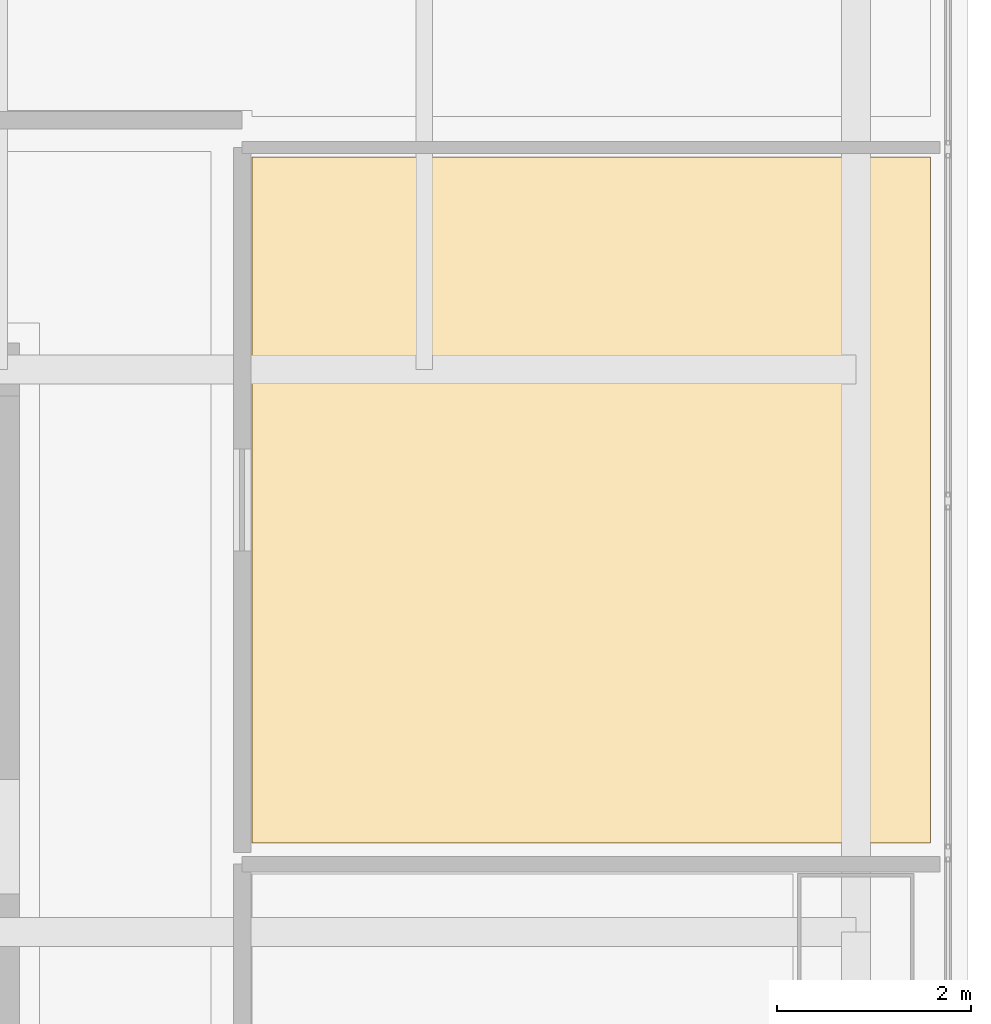
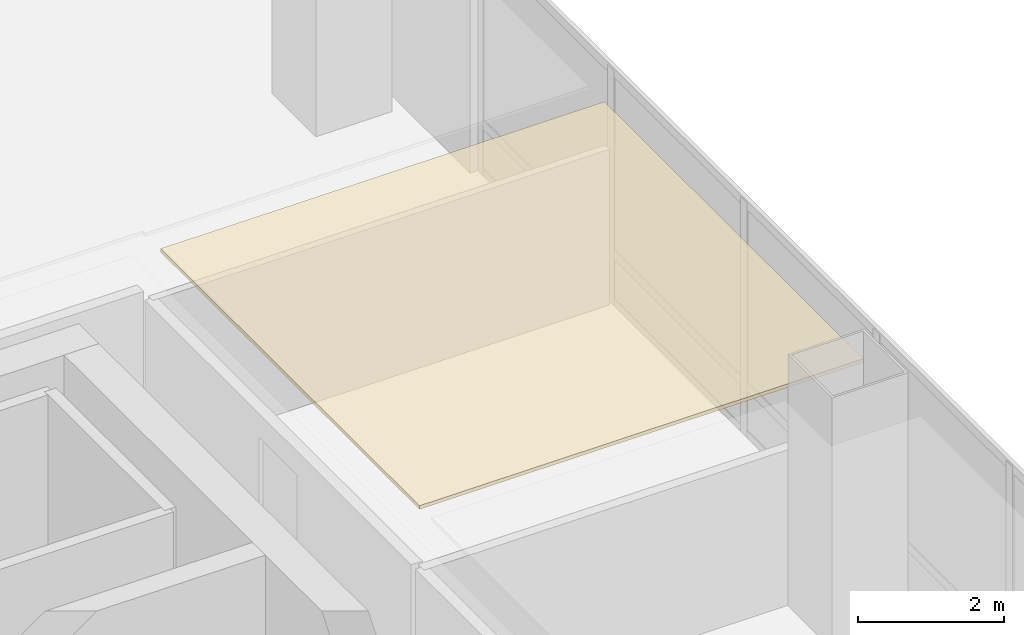
# One storey, part 46 of 51: 1 covering.
"""IFC4 building model written with IfcOpenShell, lengths in metres."""

import ifcopenshell
import ifcopenshell.guid

model = None  # the IFC model being written
_history = None  # IfcOwnerHistory: only IFC2X3 demands one
_inside = {}  # id of a spatial element -> (the spatial element, [elements in it])
_under = {}  # id of a project, library or spatial element -> (it, [spatial elements below it])
_declared = {}  # id of a project -> (the project, [libraries it declares])
_typed = {}  # id of a type object -> (the type object, [elements of that type])
_made_of = {}  # id of a material, layer set ... -> (it, [elements and type objects made of it])


def new_model(schema):
    """Start an empty IFC model of exactly this schema.

    Asked for "IFC4X3", IfcOpenShell would pick the latest addendum, in which some entities
    have other attributes; the version numbers below select the first issue.
    IFC2X3 requires an IfcOwnerHistory on every rooted entity: one is made here for all.
    """
    global model, _history
    if schema == "IFC4X3":
        model = ifcopenshell.file(schema_version=(4, 3, 0, 0))
    else:
        model = ifcopenshell.file(schema=schema)
    _inside.clear()
    _under.clear()
    _declared.clear()
    _typed.clear()
    _made_of.clear()
    _history = None
    if model.schema == "IFC2X3":
        org = make("IfcOrganization", Name="unknown")
        user = make(
            "IfcPersonAndOrganization",
            ThePerson=make("IfcPerson", FamilyName="unknown"),
            TheOrganization=org,
        )
        app = make(
            "IfcApplication",
            ApplicationDeveloper=org,
            Version="unknown",
            ApplicationFullName="unknown",
            ApplicationIdentifier="unknown",
        )
        _history = make(
            "IfcOwnerHistory",
            OwningUser=user,
            OwningApplication=app,
            ChangeAction="ADDED",
            CreationDate=0,
        )
    return model


def make(cls, **values):
    """One entity of the class cls with the attributes given. An attribute that is None is left unset."""
    return model.create_entity(
        cls, **{name: value for name, value in values.items() if value is not None}
    )


def rooted(cls, **values):
    """An entity with a GlobalId (a new one), such as an element, a storey or a relation."""
    return make(cls, GlobalId=ifcopenshell.guid.new(), OwnerHistory=_history, **values)


def si_unit(unit_type, name, prefix=None):
    """IfcSIUnit, for example si_unit("LENGTHUNIT", "METRE", prefix="MILLI")."""
    return make("IfcSIUnit", UnitType=unit_type, Prefix=prefix, Name=name)


def assignment(units):
    """IfcUnitAssignment: the units of a project."""
    return None if units is None else make("IfcUnitAssignment", Units=units)


def point(xyz):
    """IfcCartesianPoint."""
    return None if xyz is None else make("IfcCartesianPoint", Coordinates=xyz)


def direction(xyz):
    """IfcDirection."""
    return None if xyz is None else make("IfcDirection", DirectionRatios=xyz)


def frame(location, z_axis=None, x_axis=None):
    """IfcAxis2Placement3D, a coordinate frame: its origin and axes. An axis left out is left unset."""
    return make(
        "IfcAxis2Placement3D",
        Location=point(location),
        Axis=direction(z_axis),
        RefDirection=direction(x_axis),
    )


def origin():
    """The frame at (0, 0, 0) with its axes left unset."""
    return frame((0.0, 0.0, 0.0))


def place(relative_to, where):
    """IfcLocalPlacement: puts the frame where relative to a parent placement (None: the world)."""
    return make(
        "IfcLocalPlacement", PlacementRelTo=relative_to, RelativePlacement=where
    )


def context(
    kind, dimensions, precision=None, world=None, true_north=None, identifier=None
):
    """IfcGeometricRepresentationContext, for example the 3D "Model" context."""
    return make(
        "IfcGeometricRepresentationContext",
        ContextIdentifier=identifier,
        ContextType=kind,
        CoordinateSpaceDimension=dimensions,
        Precision=precision,
        WorldCoordinateSystem=world,
        TrueNorth=true_north,
    )


def subcontext(parent, identifier, kind, view, scale=None):
    """IfcGeometricRepresentationSubContext, for example "Body" below "Model"."""
    return make(
        "IfcGeometricRepresentationSubContext",
        ContextIdentifier=identifier,
        ContextType=kind,
        ParentContext=parent,
        TargetScale=scale,
        TargetView=view,
    )


def project(units=None, contexts=None):
    """IfcProject with its units and contexts."""
    return rooted(
        "IfcProject",
        Name="project",
        RepresentationContexts=contexts,
        UnitsInContext=assignment(units),
    )


def spatial(cls, under=None, at=None, **own):
    """A site, building, storey or space (cls), placed at a placement, below another one or the project."""
    s = rooted(cls, ObjectPlacement=at, **own)
    if under is not None:
        _under.setdefault(under.id(), (under, []))[1].append(s)
    return s


def polyline(points):
    """IfcPolyline through the points."""
    return make("IfcPolyline", Points=[point(p) for p in points])


def outline(outer, holes=None, kind="AREA"):
    """IfcArbitraryClosedProfileDef: a profile drawn as a closed curve; with holes, ...WithVoids."""
    if holes is None:
        return make("IfcArbitraryClosedProfileDef", ProfileType=kind, OuterCurve=outer)
    return make(
        "IfcArbitraryProfileDefWithVoids",
        ProfileType=kind,
        OuterCurve=outer,
        InnerCurves=holes,
    )


def extrude(swept, where, along, depth):
    """IfcExtrudedAreaSolid: the profile swept, set in the frame where, extruded along a direction by depth."""
    return make(
        "IfcExtrudedAreaSolid",
        SweptArea=swept,
        Position=where,
        ExtrudedDirection=direction(along),
        Depth=depth,
    )


def shape(context_of_items, identifier, shape_type, items):
    """IfcShapeRepresentation: the items that make up one representation, for example the "Body"."""
    return make(
        "IfcShapeRepresentation",
        ContextOfItems=context_of_items,
        RepresentationIdentifier=identifier,
        RepresentationType=shape_type,
        Items=items,
    )


def material(Name=None, Category=None):
    """IfcMaterial."""
    return make("IfcMaterial", Name=Name, Category=Category)


def layer(
    of_material, thickness, ventilated=None, Name=None, Category=None, Priority=None
):
    """IfcMaterialLayer: one layer of a wall or slab, of a material (None: an air gap)."""
    return make(
        "IfcMaterialLayer",
        Material=of_material,
        LayerThickness=thickness,
        IsVentilated=ventilated,
        Name=Name,
        Category=Category,
        Priority=Priority,
    )


def layer_set(layers, Name=None):
    """IfcMaterialLayerSet."""
    return make("IfcMaterialLayerSet", MaterialLayers=layers, LayerSetName=Name)


def made_of(thing, what):
    """Note that an element or type object is made of a material, layer set ...; save() writes the relation."""
    if what is not None:
        _made_of.setdefault(what.id(), (what, []))[1].append(thing)
    return thing


def type_object(cls, material=None, **own):
    """A type object (cls), such as IfcWallType, which elements share."""
    return made_of(rooted(cls, **own), material)


def element(
    cls,
    number,
    at=None,
    inside=None,
    cuts=None,
    type_object=None,
    material=None,
    context=None,
    identifier="Body",
    shape_type=None,
    held_by="IfcProductDefinitionShape",
    body=None,
    shapes=None,
    **own,
):
    """One element of the class cls, such as IfcWall. Its Tag is "e" and its number.

    at: its placement. inside: the storey or other place that contains it. cuts: it is an
    opening in that element (IfcRelVoidsElement). A single representation is given by context,
    identifier, shape_type and body (its items); several are given by shapes. held_by: the class
    of the entity that holds the representations. save() writes the other relations.
    """
    e = rooted(cls, Tag="e%d" % number, ObjectPlacement=at, **own)
    if body is not None:
        shapes = [shape(context, identifier, shape_type, body)]
    if shapes is not None:
        e.Representation = make(held_by, Representations=shapes)
    if inside is not None:
        _inside.setdefault(inside.id(), (inside, []))[1].append(e)
    if cuts is not None:
        rooted(
            "IfcRelVoidsElement", RelatingBuildingElement=cuts, RelatedOpeningElement=e
        )
    if type_object is not None:
        _typed.setdefault(type_object.id(), (type_object, []))[1].append(e)
    return made_of(e, material)


def aggregate(whole, parts):
    """IfcRelAggregates: a whole, such as a stair, and the parts it consists of."""
    return rooted("IfcRelAggregates", RelatingObject=whole, RelatedObjects=parts)


def save(model, path):
    """Write the relations noted so far, then the file.

    IfcRelAggregates (storeys below a building ...), IfcRelContainedInSpatialStructure (elements
    in a storey), IfcRelDefinesByType, IfcRelAssociatesMaterial and IfcRelDeclares: one each for
    every whole, place, type object, material and project.
    """
    for whole, parts in _under.values():
        aggregate(whole, parts)
    for where, things in _inside.values():
        rooted(
            "IfcRelContainedInSpatialStructure",
            RelatedElements=things,
            RelatingStructure=where,
        )
    for kind, things in _typed.values():
        rooted("IfcRelDefinesByType", RelatedObjects=things, RelatingType=kind)
    for what, things in _made_of.values():
        rooted("IfcRelAssociatesMaterial", RelatedObjects=things, RelatingMaterial=what)
    for by, libraries in _declared.values():
        rooted("IfcRelDeclares", RelatingContext=by, RelatedDefinitions=libraries)
    model.write(path)


model = new_model("IFC4")

# Units and contexts
model_context = context("Model", 3, precision=1e-05, world=origin(), true_north=direction((0.0, 1.0)))
body_context = subcontext(model_context, "Body", "Model", "MODEL_VIEW")
ifc_project = project(units=[si_unit("LENGTHUNIT", "METRE"), si_unit("AREAUNIT", "SQUARE_METRE"), si_unit("VOLUMEUNIT", "CUBIC_METRE"), si_unit("PLANEANGLEUNIT", "RADIAN"), si_unit("MASSUNIT", "GRAM", prefix="KILO")], contexts=[model_context])

# Site, building, storey
site_placement = place(None, origin())
site = spatial("IfcSite", under=ifc_project, at=site_placement, CompositionType="ELEMENT")
building_placement = place(site_placement, origin())
building = spatial("IfcBuilding", under=site, at=building_placement, Name="Punatoya Terracotta Tower", CompositionType="ELEMENT")
storey_placement = place(building_placement, frame((0.0, 0.0, 313.199951171875)))
storey = spatial("IfcBuildingStorey", under=building, at=storey_placement, Name="L74", CompositionType="ELEMENT", Elevation=313.199951171875)

# Covering
ifc_material = material(Name="Acoustic Mineral Fibre Ceiling")
ifc_layer = layer(ifc_material, 0.06005859375)
ifc_layer_set = layer_set([ifc_layer], Name="Acoustic Mineral Fibre Ceiling")
covering_type = type_object("IfcCoveringType", Name="COV-CEIL-60", PredefinedType="CEILING", material=ifc_layer_set)
covering_placement = place(storey_placement, frame((0.0, 0.0, 3.39013671875)))
element("IfcCovering", 1, at=covering_placement, inside=storey, type_object=covering_type, Name="L74 Cultural Reading Library Acoustic Ceiling", PredefinedType="CEILING", context=body_context, shape_type="SweptSolid", body=[
    extrude(outline(polyline([(12.8701171875, 11.389892578125), (12.8701171875, 4.318115234375), (19.8701171875, 4.318115234375), (19.8701171875, 11.389892578125), (12.8701171875, 11.389892578125)])), origin(), (0.0, 0.0, 1.0), 0.059814453125),
])

save(model, "model.ifc")
